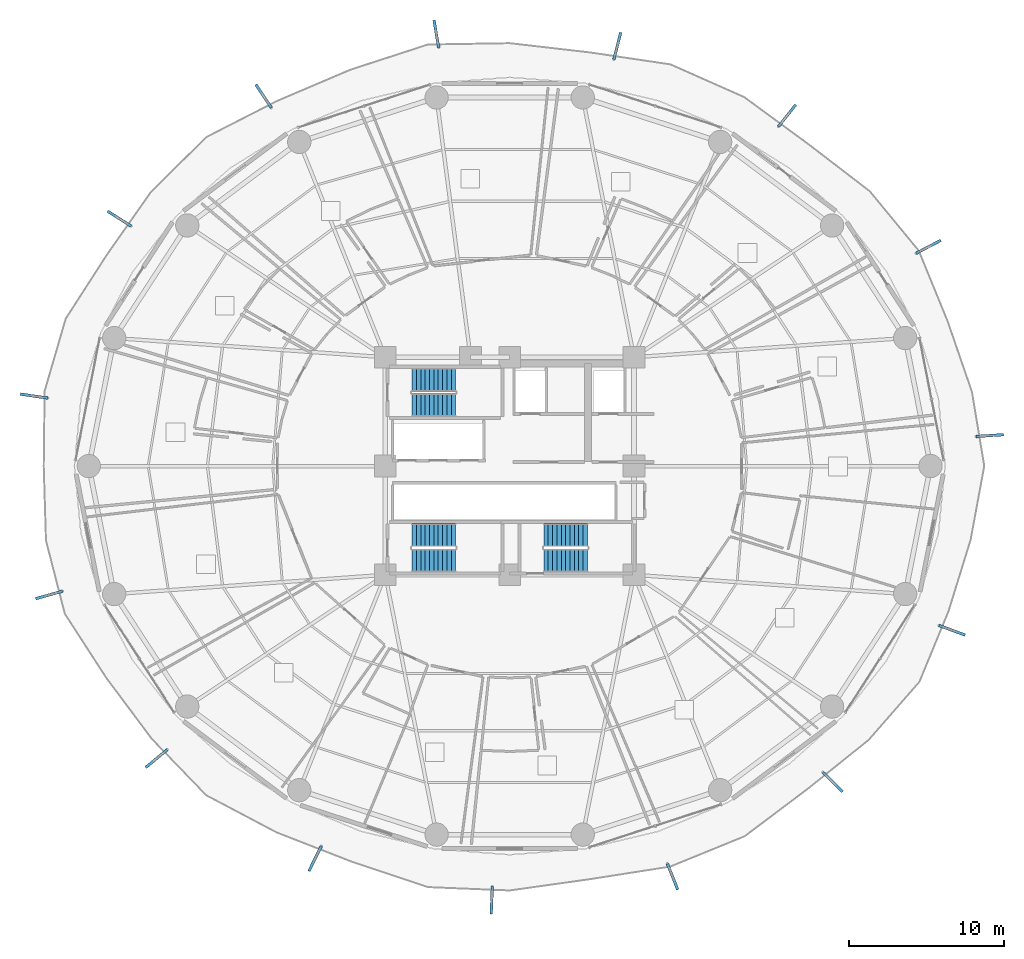
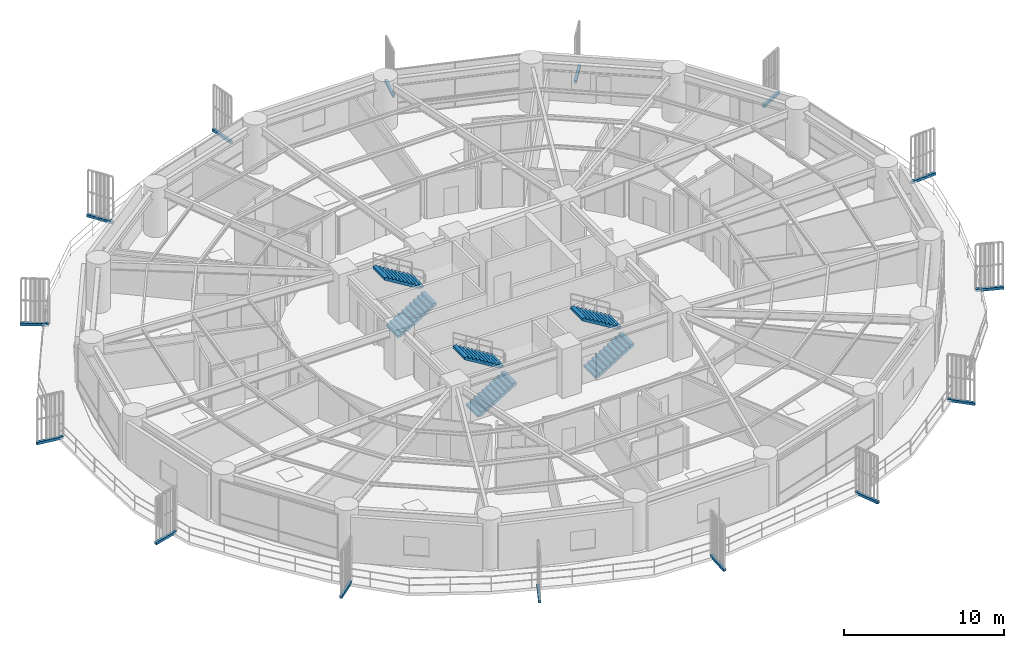
# One storey, part 27 of 32: 15 discrete accessories, 6 stair flights, 3 elements without a shape of their own.
"""IFC4 building model written with IfcOpenShell, lengths in metres."""

from ifc_helpers import new_model, si_unit, direction, frame, origin, origin_2d, place, context, subcontext, project, spatial, polyline, rectangle, outline, extrude, source, transform, mapped, material, type_object, element, aggregate, save


model = new_model("IFC4")

# Units and contexts
model_context = context("Model", 3, precision=1e-05, world=origin(), true_north=direction((0.0, 1.0)))
body_context = subcontext(model_context, "Body", "Model", "MODEL_VIEW")
ifc_project = project(units=[si_unit("LENGTHUNIT", "METRE"), si_unit("AREAUNIT", "SQUARE_METRE"), si_unit("VOLUMEUNIT", "CUBIC_METRE"), si_unit("PLANEANGLEUNIT", "RADIAN"), si_unit("MASSUNIT", "GRAM", prefix="KILO")], contexts=[model_context])

# Site, building, storey
site_placement = place(None, origin())
site = spatial("IfcSite", under=ifc_project, at=site_placement, CompositionType="ELEMENT")
building_placement = place(site_placement, origin())
building = spatial("IfcBuilding", under=site, at=building_placement, Name="Kelanora Arch Commons", CompositionType="ELEMENT")
storey_placement = place(building_placement, frame((0.0, 0.0, 52.5)))
storey = spatial("IfcBuildingStorey", under=building, at=storey_placement, Name="L13", CompositionType="ELEMENT", Elevation=52.5)

# Stair, stair flights
ifc_material_1 = material(Name="Concrete C40/50", Category="concrete")
stair_type = type_object("IfcStairType", Name="STR-DL-375", PredefinedType="HALF_TURN_STAIR", material=ifc_material_1)
stair_1_placement = place(storey_placement, origin())
stair_1 = element("IfcStair", 1, at=stair_1_placement, inside=storey, type_object=stair_type, Name="L13 ST-T1", PredefinedType="HALF_TURN_STAIR")
stair_flight_type = type_object("IfcStairFlightType", Name="FLT-DL-375", PredefinedType="STRAIGHT", material=ifc_material_1)
stair_flight_1_placement = place(storey_placement, frame((67.719970703125, 61.919921875, 0.0), z_axis=(0.0, 0.0, 1.0), x_axis=(1.0, 0.0, 0.0)))
stair_flight_1 = element("IfcStairFlight", 2, at=stair_flight_1_placement, type_object=stair_flight_type, Name="ST-T1 flight 1", NumberOfRisers=11, NumberOfTreads=10, PredefinedType="STRAIGHT", RiserHeight=0.170454545, TreadLength=0.28, context=body_context, shape_type="SweptSolid", body=[
    extrude(outline(polyline([(0.0, 0.0), (0.0, 0.17041015625), (0.280029296875, 0.17041015625), (0.280029296875, 0.3408203125), (0.56005859375, 0.3408203125), (0.56005859375, 0.511474609375), (0.840087890625, 0.511474609375), (0.840087890625, 0.681884765625), (1.1201171875, 0.681884765625), (1.1201171875, 0.852294921875), (1.39990234375, 0.852294921875), (1.39990234375, 1.022705078125), (1.679931640625, 1.022705078125), (1.679931640625, 1.193115234375), (1.9599609375, 1.193115234375), (1.9599609375, 1.363525390625), (2.239990234375, 1.363525390625), (2.239990234375, 1.5341796875), (2.52001953125, 1.5341796875), (2.52001953125, 1.70458984375), (2.800048828125, 1.70458984375), (2.800048828125, 1.875), (2.800048828125, 1.529052734375), (0.288330078125, 0.0), (0.0, 0.0)])), frame((0.0, 0.739990234375, 0.0), z_axis=(0.0, -1.0, 0.0), x_axis=(1.0, 0.0, 0.0)), (0.0, 0.0, 1.0), 1.47998046875),
])
stair_flight_2_placement = place(storey_placement, frame((70.52001953125, 63.550048828125, 1.875), z_axis=(0.0, 0.0, 1.0), x_axis=(-1.0, 0.0, 0.0)))
stair_flight_2 = element("IfcStairFlight", 3, at=stair_flight_2_placement, type_object=stair_flight_type, Name="ST-T1 flight 2", NumberOfRisers=11, NumberOfTreads=10, PredefinedType="STRAIGHT", RiserHeight=0.170454545, TreadLength=0.28, context=body_context, shape_type="SweptSolid", body=[
    extrude(outline(polyline([(0.0, 0.0), (0.0, 0.17041015625), (0.280029296875, 0.17041015625), (0.280029296875, 0.3408203125), (0.56005859375, 0.3408203125), (0.56005859375, 0.511474609375), (0.840087890625, 0.511474609375), (0.840087890625, 0.681884765625), (1.1201171875, 0.681884765625), (1.1201171875, 0.852294921875), (1.39990234375, 0.852294921875), (1.39990234375, 1.022705078125), (1.679931640625, 1.022705078125), (1.679931640625, 1.193115234375), (1.9599609375, 1.193115234375), (1.9599609375, 1.363525390625), (2.239990234375, 1.363525390625), (2.239990234375, 1.5341796875), (2.52001953125, 1.5341796875), (2.52001953125, 1.70458984375), (2.800048828125, 1.70458984375), (2.800048828125, 1.875), (2.800048828125, 1.529052734375), (0.288330078125, 0.0), (0.0, 0.0)])), frame((0.0, 0.739990234375, 0.0), z_axis=(0.0, -1.0, 0.0), x_axis=(1.0, 0.0, 0.0)), (0.0, 0.0, 1.0), 1.47998046875),
])
aggregate(stair_1, [stair_flight_1, stair_flight_2])

stair_2_placement = place(storey_placement, origin())
stair_2 = element("IfcStair", 4, at=stair_2_placement, inside=storey, type_object=stair_type, Name="L13 ST-T2", PredefinedType="HALF_TURN_STAIR")
stair_flight_3_placement = place(storey_placement, frame((76.199951171875, 51.919921875, 0.0), z_axis=(0.0, 0.0, 1.0), x_axis=(1.0, 0.0, 0.0)))
stair_flight_3 = element("IfcStairFlight", 5, at=stair_flight_3_placement, type_object=stair_flight_type, Name="ST-T2 flight 1", NumberOfRisers=11, NumberOfTreads=10, PredefinedType="STRAIGHT", RiserHeight=0.170454545, TreadLength=0.28, context=body_context, shape_type="SweptSolid", body=[
    extrude(outline(polyline([(0.0, 0.0), (0.0, 0.17041015625), (0.280029296875, 0.17041015625), (0.280029296875, 0.3408203125), (0.56005859375, 0.3408203125), (0.56005859375, 0.511474609375), (0.840087890625, 0.511474609375), (0.840087890625, 0.681884765625), (1.1201171875, 0.681884765625), (1.1201171875, 0.852294921875), (1.39990234375, 0.852294921875), (1.39990234375, 1.022705078125), (1.679931640625, 1.022705078125), (1.679931640625, 1.193115234375), (1.9599609375, 1.193115234375), (1.9599609375, 1.363525390625), (2.239990234375, 1.363525390625), (2.239990234375, 1.5341796875), (2.52001953125, 1.5341796875), (2.52001953125, 1.70458984375), (2.800048828125, 1.70458984375), (2.800048828125, 1.875), (2.800048828125, 1.529052734375), (0.288330078125, 0.0), (0.0, 0.0)])), frame((0.0, 0.739990234375, 0.0), z_axis=(0.0, -1.0, 0.0), x_axis=(1.0, 0.0, 0.0)), (0.0, 0.0, 1.0), 1.47998046875),
])
stair_flight_4_placement = place(storey_placement, frame((79.0, 53.550048828125, 1.875), z_axis=(0.0, 0.0, 1.0), x_axis=(-1.0, 0.0, 0.0)))
stair_flight_4 = element("IfcStairFlight", 6, at=stair_flight_4_placement, type_object=stair_flight_type, Name="ST-T2 flight 2", NumberOfRisers=11, NumberOfTreads=10, PredefinedType="STRAIGHT", RiserHeight=0.170454545, TreadLength=0.28, context=body_context, shape_type="SweptSolid", body=[
    extrude(outline(polyline([(0.0, 0.0), (0.0, 0.17041015625), (0.280029296875, 0.17041015625), (0.280029296875, 0.3408203125), (0.56005859375, 0.3408203125), (0.56005859375, 0.511474609375), (0.840087890625, 0.511474609375), (0.840087890625, 0.681884765625), (1.1201171875, 0.681884765625), (1.1201171875, 0.852294921875), (1.39990234375, 0.852294921875), (1.39990234375, 1.022705078125), (1.679931640625, 1.022705078125), (1.679931640625, 1.193115234375), (1.9599609375, 1.193115234375), (1.9599609375, 1.363525390625), (2.239990234375, 1.363525390625), (2.239990234375, 1.5341796875), (2.52001953125, 1.5341796875), (2.52001953125, 1.70458984375), (2.800048828125, 1.70458984375), (2.800048828125, 1.875), (2.800048828125, 1.529052734375), (0.288330078125, 0.0), (0.0, 0.0)])), frame((0.0, 0.739990234375, 0.0), z_axis=(0.0, -1.0, 0.0), x_axis=(1.0, 0.0, 0.0)), (0.0, 0.0, 1.0), 1.47998046875),
])
aggregate(stair_2, [stair_flight_3, stair_flight_4])

stair_3_placement = place(storey_placement, origin())
stair_3 = element("IfcStair", 7, at=stair_3_placement, inside=storey, type_object=stair_type, Name="L13 ST-T3", PredefinedType="HALF_TURN_STAIR")
stair_flight_5_placement = place(storey_placement, frame((67.719970703125, 51.919921875, 0.0), z_axis=(0.0, 0.0, 1.0), x_axis=(1.0, 0.0, 0.0)))
stair_flight_5 = element("IfcStairFlight", 8, at=stair_flight_5_placement, type_object=stair_flight_type, Name="ST-T3 flight 1", NumberOfRisers=11, NumberOfTreads=10, PredefinedType="STRAIGHT", RiserHeight=0.170454545, TreadLength=0.28, context=body_context, shape_type="SweptSolid", body=[
    extrude(outline(polyline([(0.0, 0.0), (0.0, 0.17041015625), (0.280029296875, 0.17041015625), (0.280029296875, 0.3408203125), (0.56005859375, 0.3408203125), (0.56005859375, 0.511474609375), (0.840087890625, 0.511474609375), (0.840087890625, 0.681884765625), (1.1201171875, 0.681884765625), (1.1201171875, 0.852294921875), (1.39990234375, 0.852294921875), (1.39990234375, 1.022705078125), (1.679931640625, 1.022705078125), (1.679931640625, 1.193115234375), (1.9599609375, 1.193115234375), (1.9599609375, 1.363525390625), (2.239990234375, 1.363525390625), (2.239990234375, 1.5341796875), (2.52001953125, 1.5341796875), (2.52001953125, 1.70458984375), (2.800048828125, 1.70458984375), (2.800048828125, 1.875), (2.800048828125, 1.529052734375), (0.288330078125, 0.0), (0.0, 0.0)])), frame((0.0, 0.739990234375, 0.0), z_axis=(0.0, -1.0, 0.0), x_axis=(1.0, 0.0, 0.0)), (0.0, 0.0, 1.0), 1.47998046875),
])
stair_flight_6_placement = place(storey_placement, frame((70.52001953125, 53.550048828125, 1.875), z_axis=(0.0, 0.0, 1.0), x_axis=(-1.0, 0.0, 0.0)))
stair_flight_6 = element("IfcStairFlight", 9, at=stair_flight_6_placement, type_object=stair_flight_type, Name="ST-T3 flight 2", NumberOfRisers=11, NumberOfTreads=10, PredefinedType="STRAIGHT", RiserHeight=0.170454545, TreadLength=0.28, context=body_context, shape_type="SweptSolid", body=[
    extrude(outline(polyline([(0.0, 0.0), (0.0, 0.17041015625), (0.280029296875, 0.17041015625), (0.280029296875, 0.3408203125), (0.56005859375, 0.3408203125), (0.56005859375, 0.511474609375), (0.840087890625, 0.511474609375), (0.840087890625, 0.681884765625), (1.1201171875, 0.681884765625), (1.1201171875, 0.852294921875), (1.39990234375, 0.852294921875), (1.39990234375, 1.022705078125), (1.679931640625, 1.022705078125), (1.679931640625, 1.193115234375), (1.9599609375, 1.193115234375), (1.9599609375, 1.363525390625), (2.239990234375, 1.363525390625), (2.239990234375, 1.5341796875), (2.52001953125, 1.5341796875), (2.52001953125, 1.70458984375), (2.800048828125, 1.70458984375), (2.800048828125, 1.875), (2.800048828125, 1.529052734375), (0.288330078125, 0.0), (0.0, 0.0)])), frame((0.0, 0.739990234375, 0.0), z_axis=(0.0, -1.0, 0.0), x_axis=(1.0, 0.0, 0.0)), (0.0, 0.0, 1.0), 1.47998046875),
])
aggregate(stair_3, [stair_flight_5, stair_flight_6])

# Discrete accessories
ifc_material_2 = material(Name="Stainless steel 316 marine fin bracket", Category="steel")
discrete_accessory_type = type_object("IfcDiscreteAccessoryType", Name="ACC-FIN-BRK", PredefinedType="BRACKET", material=ifc_material_2)
shared_shape = source(origin(), body_context, "Body", "SweptSolid", [
    extrude(rectangle(XDim=1.7900390625, YDim=0.179931640625, at=origin_2d()), origin(), (0.0, 0.0, 1.0), 0.199951171875),
])
for number, where, z_axis, x_axis, name in (
    (10, (100.944580078125, 72.10595703125, -0.16015625), (0.0, 0.0, 1.0), (0.885960876527, 0.4637599867, 0.0), "Sweeping Fin Cantilever Spine Bracket L13-00"),
    (11, (91.851318359375, 80.54931640625, -0.16015625), (0.0, 0.0, 1.0), (0.620737354217, 0.784018582101, 0.0), "Sweeping Fin Cantilever Spine Bracket L13-01"),
    (12, (80.924072265625, 85.0322265625, -0.16015625), (0.0, 0.0, 1.0), (0.248182704141, 0.968713242072, 0.0), "Sweeping Fin Cantilever Spine Bracket L13-02"),
    (13, (69.28125, 85.801513671875, -0.16015625), (0.0, 0.0, 1.0), (-0.16728499015, 0.985908582005, 0.0), "Sweeping Fin Cantilever Spine Bracket L13-03"),
    (14, (58.165771484375, 81.802490234375, -0.16015625), (0.0, 0.0, 1.0), (-0.553827589908, 0.832631371411, 0.0), "Sweeping Fin Cantilever Spine Bracket L13-04"),
    (15, (48.887451171875, 73.91650390625, -0.16015625), (0.0, 0.0, 1.0), (-0.844608368004, 0.535384632481, 0.0), "Sweeping Fin Cantilever Spine Bracket L13-05"),
    (16, (43.398681640625, 62.500732421875, -0.16015625), (0.0, 0.0, 1.0), (-0.989348686247, 0.145565026779, 0.0), "Sweeping Fin Cantilever Spine Bracket L13-06"),
    (17, (44.365478515625, 49.70751953125, -0.16015625), (0.0, 0.0, 1.0), (-0.963021628687, -0.26942409447, 0.0), "Sweeping Fin Cantilever Spine Bracket L13-07"),
    (18, (51.268798828125, 39.173095703125, -0.16015625), (0.0, 0.0, 1.0), (-0.77017938275, -0.637827342144, 0.0), "Sweeping Fin Cantilever Spine Bracket L13-08"),
    (19, (61.4794921875, 32.7412109375, -0.16015625), (0.0, 0.0, 1.0), (-0.444166124676, -0.895944447882, 0.0), "Sweeping Fin Cantilever Spine Bracket L13-09"),
    (20, (72.84521484375, 30.063720703125, -0.16015625), (0.0, 0.0, 1.0), (-0.041352508522, -0.999144619181, 0.0), "Sweeping Fin Cantilever Spine Bracket L13-10"),
    (21, (84.476806640625, 31.582763671875, -0.16015625), (0.0, 0.0, 1.0), (0.36861133203, -0.92958360888, 0.0), "Sweeping Fin Cantilever Spine Bracket L13-11"),
    (22, (94.7861328125, 37.668212890625, -0.16015625), (0.0, 0.0, 1.0), (0.714838924546, -0.699289147602, 0.0), "Sweeping Fin Cantilever Spine Bracket L13-12"),
    (23, (102.459716796875, 47.4345703125, -0.16015625), (0.0, 0.0, 1.0), (0.9374643729, -0.348081239861, 0.0), "Sweeping Fin Cantilever Spine Bracket L13-13"),
    (24, (104.890625, 59.961181640625, -0.16015625), (0.0, 0.0, 1.0), (0.997993714583, 0.063313076471, 0.0), "Sweeping Fin Cantilever Spine Bracket L13-14"),
):
    element("IfcDiscreteAccessory", number, at=place(storey_placement, frame(where, z_axis=z_axis, x_axis=x_axis)), inside=storey, type_object=discrete_accessory_type, Name=name, PredefinedType="BRACKET", context=body_context, shape_type="MappedRepresentation", body=[
        mapped(shared_shape, transform((0.0, 0.0, 0.0), scale=1.0)),
    ])

save(model, "model.ifc")
